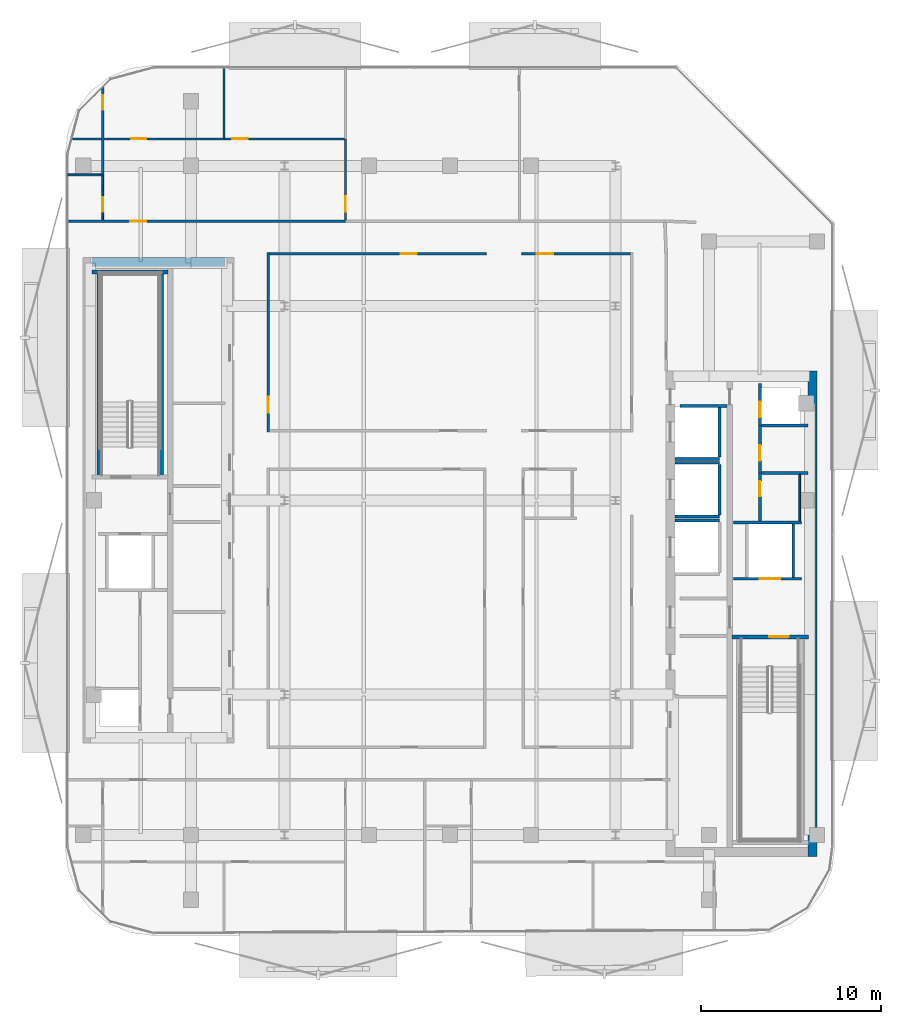
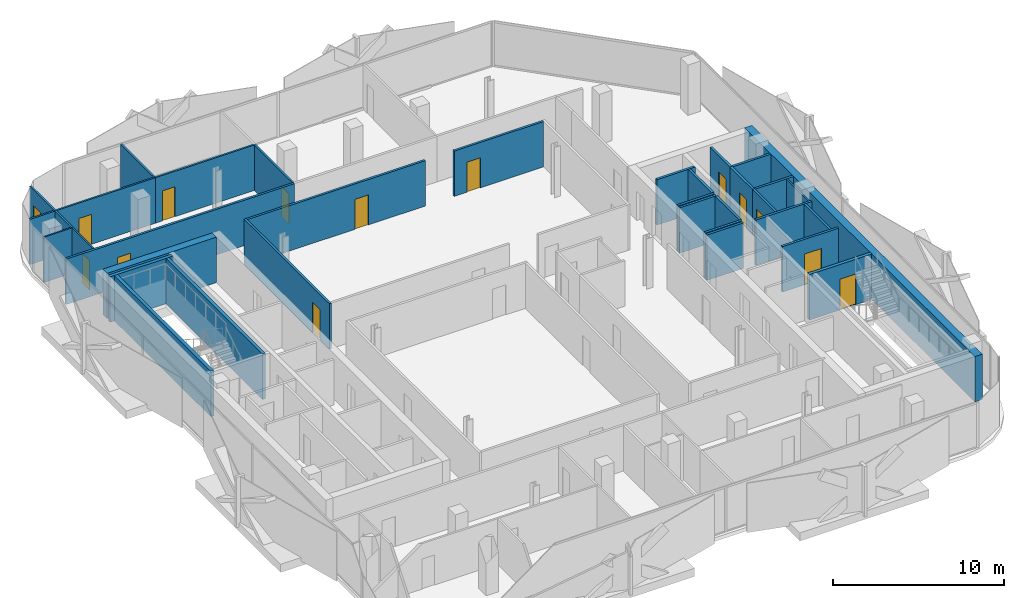
# One storey, part 5 of 15: 34 walls, 14 doors, 14 openings.
"""IFC4 building model written with IfcOpenShell, lengths in metres."""

from ifc_helpers import new_model, si_unit, direction, frame, frame_2d, origin, place, context, subcontext, project, spatial, rectangle, extrude, material, layer, layer_set, type_object, element, fill, save


model = new_model("IFC4")

# Units and contexts
model_context = context("Model", 3, precision=1e-05, world=origin(), true_north=direction((0.0, 1.0)))
body_context = subcontext(model_context, "Body", "Model", "MODEL_VIEW")
ifc_project = project(units=[si_unit("LENGTHUNIT", "METRE"), si_unit("AREAUNIT", "SQUARE_METRE"), si_unit("VOLUMEUNIT", "CUBIC_METRE"), si_unit("PLANEANGLEUNIT", "RADIAN"), si_unit("MASSUNIT", "GRAM", prefix="KILO")], contexts=[model_context])

# Site, building, storey
site_placement = place(None, origin())
site = spatial("IfcSite", under=ifc_project, at=site_placement, CompositionType="ELEMENT")
building_placement = place(site_placement, origin())
building = spatial("IfcBuilding", under=site, at=building_placement, Name="Khairoan Windgate Tower", CompositionType="ELEMENT")
storey_placement = place(building_placement, frame((0.0, 0.0, 269.199951171875)))
storey = spatial("IfcBuildingStorey", under=building, at=storey_placement, Name="L64", CompositionType="ELEMENT", Elevation=269.199951171875)

# Wall
ifc_material_1 = material(Name="Moisture-Resistant Gypsum Partition", Category="gypsum")
ifc_layer_1 = layer(ifc_material_1, 0.10009765625, Name="Moisture-Resistant Gypsum Partition")
ifc_layer_set_1 = layer_set([ifc_layer_1], Name="Moisture-Resistant Gypsum Partition")
wall_type_1 = type_object("IfcWallType", Name="Bathroom Wet-Area Partition Wall", PredefinedType="PARTITIONING", material=ifc_layer_set_1)
wall_1_placement = place(storey_placement, frame((-21.2548828125, 18.10009765625, 0.0), z_axis=(0.0, 0.0, 1.0), x_axis=(1.0, 0.0, 0.0)))
element("IfcWall", 1, at=wall_1_placement, inside=storey, type_object=wall_type_1, Name="L64 Interior Partition 036", PredefinedType="PARTITIONING", context=body_context, shape_type="SweptSolid", body=[
    extrude(rectangle(XDim=1.894775390625, YDim=0.10009765625, at=frame_2d((0.947265625, 0.0))), origin(), (0.0, 0.0, 1.0), 3.25),
])

# Wall, opening, door
wall_2_placement = place(storey_placement, frame((-19.31005859375, 15.60009765625, 0.0), z_axis=(0.0, 0.0, 1.0), x_axis=(0.0, 1.0, 0.0)))
wall_2 = element("IfcWall", 2, at=wall_2_placement, inside=storey, type_object=wall_type_1, Name="L64 Interior Partition 037", PredefinedType="PARTITIONING", context=body_context, shape_type="SweptSolid", body=[
    extrude(rectangle(XDim=2.5, YDim=0.10009765625, at=frame_2d((1.25, 0.0))), origin(), (0.0, 0.0, 1.0), 3.25),
])
opening_1_placement = place(wall_2_placement, frame((0.4599609375, 0.0, 0.0)))
opening_1 = element("IfcOpeningElement", 3, at=opening_1_placement, cuts=wall_2, Name="Opening ID-BTH", PredefinedType="OPENING", context=body_context, shape_type="SweptSolid", body=[
    extrude(rectangle(XDim=0.800048828125, YDim=2.10009765625, at=frame_2d((0.39990234375, 1.050048828125))), frame((0.0, 0.06005859375, 0.0), z_axis=(0.0, -1.0, 0.0), x_axis=(1.0, 0.0, 0.0)), (0.0, 0.0, 1.0), 0.1201171875),
])
ifc_material_2 = material(Name="Teak Veneer Timber Leaf", Category="wood")
door_type_1 = type_object("IfcDoorType", Name="Internal Bathroom Door ID-BTH 800x2100", OperationType="NOTDEFINED", PredefinedType="DOOR", material=ifc_material_2)
door_1_placement = place(opening_1_placement, origin())
door_1 = element("IfcDoor", 4, at=door_1_placement, inside=storey, type_object=door_type_1, Name="L64 L64-33-L64-35 Door", OperationType="SINGLE_SWING_LEFT", OverallHeight=2.10009765625, OverallWidth=0.800048828125, PredefinedType="DOOR", context=body_context, shape_type="SweptSolid", body=[
    extrude(rectangle(XDim=0.800048828125, YDim=2.10009765625, at=frame_2d((0.39990234375, 1.050048828125))), frame((0.0, 0.02490234375, 0.0), z_axis=(0.0, -1.0, 0.0), x_axis=(1.0, 0.0, 0.0)), (0.0, 0.0, 1.0), 0.050048828125),
])
fill(opening_1, door_1)

# Walls
wall_3_placement = place(storey_placement, frame((19.449951171875, 1.449951171875, 0.0), z_axis=(0.0, 0.0, 1.0), x_axis=(0.0, -1.0, 0.0)))
element("IfcWall", 5, at=wall_3_placement, inside=storey, type_object=wall_type_1, Name="L64 Wet Room Side Wall 067", PredefinedType="PARTITIONING", context=body_context, shape_type="SweptSolid", body=[
    extrude(rectangle(XDim=2.58984375, YDim=0.10009765625, at=frame_2d((1.294921875, 0.0))), origin(), (0.0, 0.0, 1.0), 3.25),
])
ifc_material_3 = material(Name="Concrete C40/50", Category="concrete")
ifc_layer_2 = layer(ifc_material_3, 0.159912109375, Name="Concrete C40/50")
ifc_layer_set_2 = layer_set([ifc_layer_2], Name="Concrete C40/50")
wall_type_2 = type_object("IfcWallType", Name="Core and Hoistway Enclosure Wall", PredefinedType="STANDARD", material=ifc_layer_set_2)
wall_4_placement = place(storey_placement, frame((12.5, 2.31005859375, 0.0), z_axis=(0.0, 0.0, 1.0), x_axis=(1.0, 0.0, 0.0)))
element("IfcWall", 6, at=wall_4_placement, inside=storey, type_object=wall_type_2, Name="L64 Lift PL7 Hoistway Divider S", PredefinedType="STANDARD", context=body_context, shape_type="SweptSolid", body=[
    extrude(rectangle(XDim=2.489990234375, YDim=0.159912109375, at=frame_2d((1.2451171875, 0.0))), origin(), (0.0, 0.0, 1.0), 3.25),
])
wall_5_placement = place(storey_placement, frame((14.989990234375, 2.39990234375, 0.0), z_axis=(0.0, 0.0, 1.0), x_axis=(0.0, 1.0, 0.0)))
element("IfcWall", 7, at=wall_5_placement, inside=storey, type_object=wall_type_2, Name="L64 Lift PL7 Hoistway Back Wall", PredefinedType="STANDARD", context=body_context, shape_type="SweptSolid", body=[
    extrude(rectangle(XDim=2.800048828125, YDim=0.159912109375, at=frame_2d((1.39990234375, 0.0))), origin(), (0.0, 0.0, 1.0), 3.25),
])
for number, where, z_axis, x_axis, name in (
    (8, (12.5, -0.889892578125, 0.0), (0.0, 0.0, 1.0), (1.0, 0.0, 0.0), "L64 Lift PL8 Hoistway Divider S"),
    (9, (12.5, 2.090087890625, 0.0), (0.0, 0.0, 1.0), (1.0, 0.0, 0.0), "L64 Lift PL8 Hoistway Divider N"),
):
    element("IfcWall", number, at=place(storey_placement, frame(where, z_axis=z_axis, x_axis=x_axis)), inside=storey, type_object=wall_type_2, Name=name, PredefinedType="STANDARD", context=body_context, shape_type="SweptSolid", body=[
        extrude(rectangle(XDim=2.489990234375, YDim=0.159912109375, at=frame_2d((1.2451171875, 0.0))), origin(), (0.0, 0.0, 1.0), 3.25),
    ])
wall_6_placement = place(storey_placement, frame((14.989990234375, -0.800048828125, 0.0), z_axis=(0.0, 0.0, 1.0), x_axis=(0.0, 1.0, 0.0)))
element("IfcWall", 10, at=wall_6_placement, inside=storey, type_object=wall_type_2, Name="L64 Lift PL8 Hoistway Back Wall", PredefinedType="STANDARD", context=body_context, shape_type="SweptSolid", body=[
    extrude(rectangle(XDim=2.800048828125, YDim=0.159912109375, at=frame_2d((1.39990234375, 0.0))), origin(), (0.0, 0.0, 1.0), 3.25),
])
wall_7_placement = place(storey_placement, frame((12.5, -1.110107421875, 0.0), z_axis=(0.0, 0.0, 1.0), x_axis=(1.0, 0.0, 0.0)))
element("IfcWall", 11, at=wall_7_placement, inside=storey, type_object=wall_type_2, Name="L64 Lift PL9 Hoistway Divider N", PredefinedType="STANDARD", context=body_context, shape_type="SweptSolid", body=[
    extrude(rectangle(XDim=2.489990234375, YDim=0.159912109375, at=frame_2d((1.2451171875, 0.0))), origin(), (0.0, 0.0, 1.0), 3.25),
])

# Wall, opening, door
wall_8_placement = place(storey_placement, frame((15.75, -4.360107421875, 0.0), z_axis=(0.0, 0.0, 1.0), x_axis=(1.0, 0.0, 0.0)))
wall_8 = element("IfcWall", 12, at=wall_8_placement, inside=storey, type_object=wall_type_2, Name="L64 Core Shaft Wall SW-FL1-L64", PredefinedType="STANDARD", context=body_context, shape_type="SweptSolid", body=[
    extrude(rectangle(XDim=3.800048828125, YDim=0.159912109375, at=frame_2d((1.89990234375, 0.0))), origin(), (0.0, 0.0, 1.0), 3.25),
])
opening_2_placement = place(wall_8_placement, frame((1.469970703125, 0.0, 0.0)))
opening_2 = element("IfcOpeningElement", 13, at=opening_2_placement, cuts=wall_8, Name="Opening LD-FL", PredefinedType="OPENING", context=body_context, shape_type="SweptSolid", body=[
    extrude(rectangle(XDim=1.14990234375, YDim=2.199951171875, at=frame_2d((0.574951171875, 1.10009765625))), frame((0.0, 0.08984375, 0.0), z_axis=(0.0, -1.0, 0.0), x_axis=(1.0, 0.0, 0.0)), (0.0, 0.0, 1.0), 0.179931640625),
])
ifc_material_4 = material(Name="Steel S355", Category="steel")
door_type_2 = type_object("IfcDoorType", Name="Firefighting Lift Sliding Landing Door LD-FL 1150x2200", OperationType="DOUBLE_DOOR_SLIDING", PredefinedType="DOOR", material=ifc_material_4)
door_2_placement = place(opening_2_placement, origin())
door_2 = element("IfcDoor", 14, at=door_2_placement, inside=storey, type_object=door_type_2, Name="L64 Firefighting Lift FL1 Landing Door", OperationType="DOUBLE_DOOR_SLIDING", OverallHeight=2.199951171875, OverallWidth=1.14990234375, PredefinedType="DOOR", context=body_context, shape_type="SweptSolid", body=[
    extrude(rectangle(XDim=1.14990234375, YDim=2.199951171875, at=frame_2d((0.574951171875, 1.10009765625))), frame((0.0, 0.02490234375, 0.0), z_axis=(0.0, -1.0, 0.0), x_axis=(1.0, 0.0, 0.0)), (0.0, 0.0, 1.0), 0.050048828125),
])
fill(opening_2, door_2)

# Walls
wall_9_placement = place(storey_placement, frame((15.75, -1.219970703125, 0.0), z_axis=(0.0, 0.0, 1.0), x_axis=(1.0, 0.0, 0.0)))
element("IfcWall", 15, at=wall_9_placement, inside=storey, type_object=wall_type_2, Name="L64 Core Shaft Wall SW-FL1T-L64", PredefinedType="STANDARD", context=body_context, shape_type="SweptSolid", body=[
    extrude(rectangle(XDim=3.800048828125, YDim=0.159912109375, at=frame_2d((1.89990234375, 0.0))), origin(), (0.0, 0.0, 1.0), 3.25),
])
wall_10_placement = place(storey_placement, frame((19.080078125, -4.280029296875, 0.0), z_axis=(0.0, 0.0, 1.0), x_axis=(0.0, 1.0, 0.0)))
element("IfcWall", 16, at=wall_10_placement, inside=storey, type_object=wall_type_2, Name="L64 Core Shaft Wall SW-FL1E-L64", PredefinedType="STANDARD", context=body_context, shape_type="SweptSolid", body=[
    extrude(rectangle(XDim=2.97998046875, YDim=0.159912109375, at=frame_2d((1.489990234375, 0.0))), origin(), (0.0, 0.0, 1.0), 3.25),
])
wall_11_placement = place(storey_placement, frame((12.800048828125, 5.25, 0.0), z_axis=(0.0, 0.0, 1.0), x_axis=(1.0, 0.0, 0.0)))
element("IfcWall", 17, at=wall_11_placement, inside=storey, type_object=wall_type_2, Name="L64 Core Shaft Wall SW-ESV-L64", PredefinedType="STANDARD", context=body_context, shape_type="SweptSolid", body=[
    extrude(rectangle(XDim=2.599853515625, YDim=0.159912109375, at=frame_2d((1.2998046875, 0.0))), origin(), (0.0, 0.0, 1.0), 3.25),
])
ifc_material_5 = material(Name="Gypsum Stud Partition", Category="gypsum")
ifc_layer_3 = layer(ifc_material_5, 0.1201171875, Name="Gypsum Stud Partition")
ifc_layer_set_3 = layer_set([ifc_layer_3], Name="Gypsum Stud Partition")
wall_type_3 = type_object("IfcWallType", Name="Internal Room Partition Wall", PredefinedType="PARTITIONING", material=ifc_layer_set_3)
wall_12_placement = place(storey_placement, frame((-19.31005859375, 18.10009765625, 0.0), z_axis=(0.0, 0.0, 1.0), x_axis=(0.0, 1.0, 0.0)))
element("IfcWall", 18, at=wall_12_placement, inside=storey, type_object=wall_type_3, Name="L64 Interior Partition 038", PredefinedType="PARTITIONING", context=body_context, shape_type="SweptSolid", body=[
    extrude(rectangle(XDim=2.0, YDim=0.1201171875, at=frame_2d((1.0, 0.0))), origin(), (0.0, 0.0, 1.0), 3.25),
])

# Wall, opening, door
wall_13_placement = place(storey_placement, frame((-19.31005859375, 20.10009765625, 0.0), z_axis=(0.0, 0.0, 1.0), x_axis=(0.0, 1.0, 0.0)))
wall_13 = element("IfcWall", 19, at=wall_13_placement, inside=storey, type_object=wall_type_3, Name="L64 Interior Partition 039", PredefinedType="PARTITIONING", context=body_context, shape_type="SweptSolid", body=[
    extrude(rectangle(XDim=2.885498046875, YDim=0.1201171875, at=frame_2d((1.44287109375, 0.0))), origin(), (0.0, 0.0, 1.0), 3.25),
])
opening_3_placement = place(wall_13_placement, frame((1.62548828125, 0.0, 0.0)))
opening_3 = element("IfcOpeningElement", 20, at=opening_3_placement, cuts=wall_13, Name="Opening ID-BTH", PredefinedType="OPENING", context=body_context, shape_type="SweptSolid", body=[
    extrude(rectangle(XDim=0.800048828125, YDim=2.10009765625, at=frame_2d((0.39990234375, 1.050048828125))), frame((0.0, 0.070068359375, 0.0), z_axis=(0.0, -1.0, 0.0), x_axis=(1.0, 0.0, 0.0)), (0.0, 0.0, 1.0), 0.14013671875),
])
door_3_placement = place(opening_3_placement, origin())
door_3 = element("IfcDoor", 21, at=door_3_placement, inside=storey, type_object=door_type_1, Name="L64 L64-34-L64-38 Door", OperationType="SINGLE_SWING_RIGHT", OverallHeight=2.10009765625, OverallWidth=0.800048828125, PredefinedType="DOOR", context=body_context, shape_type="SweptSolid", body=[
    extrude(rectangle(XDim=0.800048828125, YDim=2.10009765625, at=frame_2d((0.39990234375, 1.050048828125))), frame((0.0, 0.02490234375, 0.0), z_axis=(0.0, -1.0, 0.0), x_axis=(1.0, 0.0, 0.0)), (0.0, 0.0, 1.0), 0.050048828125),
])
fill(opening_3, door_3)

wall_14_placement = place(storey_placement, frame((-5.81005859375, 15.60009765625, 0.0), z_axis=(0.0, 0.0, 1.0), x_axis=(0.0, 1.0, 0.0)))
wall_14 = element("IfcWall", 22, at=wall_14_placement, inside=storey, type_object=wall_type_3, Name="L64 Interior Partition 040", PredefinedType="PARTITIONING", context=body_context, shape_type="SweptSolid", body=[
    extrude(rectangle(XDim=4.5, YDim=0.1201171875, at=frame_2d((2.25, 0.0))), origin(), (0.0, 0.0, 1.0), 3.25),
])
opening_4_placement = place(wall_14_placement, frame((0.4599609375, 0.0, 0.0)))
opening_4 = element("IfcOpeningElement", 23, at=opening_4_placement, cuts=wall_14, Name="Opening ID-RM", PredefinedType="OPENING", context=body_context, shape_type="SweptSolid", body=[
    extrude(rectangle(XDim=0.860107421875, YDim=2.14990234375, at=frame_2d((0.43017578125, 1.074951171875))), frame((0.0, 0.070068359375, 0.0), z_axis=(0.0, -1.0, 0.0), x_axis=(1.0, 0.0, 0.0)), (0.0, 0.0, 1.0), 0.14013671875),
])
ifc_material_6 = material(Name="Teak Veneer Timber Leaf", Category="wood")
door_type_3 = type_object("IfcDoorType", Name="Internal Bedroom and Office Door ID-RM 860x2150", OperationType="NOTDEFINED", PredefinedType="DOOR", material=ifc_material_6)
door_4_placement = place(opening_4_placement, origin())
door_4 = element("IfcDoor", 24, at=door_4_placement, inside=storey, type_object=door_type_3, Name="L64 L64-35-L64-36 Door", OperationType="SINGLE_SWING_LEFT", OverallHeight=2.14990234375, OverallWidth=0.860107421875, PredefinedType="DOOR", context=body_context, shape_type="SweptSolid", body=[
    extrude(rectangle(XDim=0.860107421875, YDim=2.14990234375, at=frame_2d((0.43017578125, 1.074951171875))), frame((0.0, 0.02490234375, 0.0), z_axis=(0.0, -1.0, 0.0), x_axis=(1.0, 0.0, 0.0)), (0.0, 0.0, 1.0), 0.050048828125),
])
fill(opening_4, door_4)

wall_15_placement = place(storey_placement, frame((-21.03857421875, 20.10009765625, 0.0), z_axis=(0.0, 0.0, 1.0), x_axis=(1.0, 0.0, 0.0)))
wall_15 = element("IfcWall", 25, at=wall_15_placement, inside=storey, type_object=wall_type_3, Name="L64 Interior Partition 041", PredefinedType="PARTITIONING", context=body_context, shape_type="SweptSolid", body=[
    extrude(rectangle(XDim=8.478515625, YDim=0.1201171875, at=frame_2d((4.2392578125, 0.0))), origin(), (0.0, 0.0, 1.0), 3.25),
])
opening_5_placement = place(wall_15_placement, frame((3.3017578125, 0.0, 0.0)))
opening_5 = element("IfcOpeningElement", 26, at=opening_5_placement, cuts=wall_15, Name="Opening ID-RM", PredefinedType="OPENING", context=body_context, shape_type="SweptSolid", body=[
    extrude(rectangle(XDim=0.860107421875, YDim=2.14990234375, at=frame_2d((0.43017578125, 1.074951171875))), frame((0.0, 0.070068359375, 0.0), z_axis=(0.0, -1.0, 0.0), x_axis=(1.0, 0.0, 0.0)), (0.0, 0.0, 1.0), 0.14013671875),
])
door_5_placement = place(opening_5_placement, origin())
door_5 = element("IfcDoor", 27, at=door_5_placement, inside=storey, type_object=door_type_3, Name="L64 L64-35-L64-38 Door", OperationType="SINGLE_SWING_RIGHT", OverallHeight=2.14990234375, OverallWidth=0.860107421875, PredefinedType="DOOR", context=body_context, shape_type="SweptSolid", body=[
    extrude(rectangle(XDim=0.860107421875, YDim=2.14990234375, at=frame_2d((0.43017578125, 1.074951171875))), frame((0.0, 0.02490234375, 0.0), z_axis=(0.0, -1.0, 0.0), x_axis=(1.0, 0.0, 0.0)), (0.0, 0.0, 1.0), 0.050048828125),
])
fill(opening_5, door_5)

wall_16_placement = place(storey_placement, frame((-12.56005859375, 20.10009765625, 0.0), z_axis=(0.0, 0.0, 1.0), x_axis=(1.0, 0.0, 0.0)))
wall_16 = element("IfcWall", 28, at=wall_16_placement, inside=storey, type_object=wall_type_3, Name="L64 Interior Partition 042", PredefinedType="PARTITIONING", context=body_context, shape_type="SweptSolid", body=[
    extrude(rectangle(XDim=6.68994140625, YDim=0.1201171875, at=frame_2d((3.344970703125, 0.0))), origin(), (0.0, 0.0, 1.0), 3.25),
])
opening_6_placement = place(wall_16_placement, frame((0.4599609375, 0.0, 0.0)))
opening_6 = element("IfcOpeningElement", 29, at=opening_6_placement, cuts=wall_16, Name="Opening ID-RM", PredefinedType="OPENING", context=body_context, shape_type="SweptSolid", body=[
    extrude(rectangle(XDim=0.860107421875, YDim=2.14990234375, at=frame_2d((0.43017578125, 1.074951171875))), frame((0.0, 0.070068359375, 0.0), z_axis=(0.0, -1.0, 0.0), x_axis=(1.0, 0.0, 0.0)), (0.0, 0.0, 1.0), 0.14013671875),
])
door_6_placement = place(opening_6_placement, origin())
door_6 = element("IfcDoor", 30, at=door_6_placement, inside=storey, type_object=door_type_3, Name="L64 L64-35-L64-39 Door", OperationType="SINGLE_SWING_LEFT", OverallHeight=2.14990234375, OverallWidth=0.860107421875, PredefinedType="DOOR", context=body_context, shape_type="SweptSolid", body=[
    extrude(rectangle(XDim=0.860107421875, YDim=2.14990234375, at=frame_2d((0.43017578125, 1.074951171875))), frame((0.0, 0.02490234375, 0.0), z_axis=(0.0, -1.0, 0.0), x_axis=(1.0, 0.0, 0.0)), (0.0, 0.0, 1.0), 0.050048828125),
])
fill(opening_6, door_6)

# Wall
wall_17_placement = place(storey_placement, frame((-12.56005859375, 20.159912109375, 0.0), z_axis=(0.0, 0.0, 1.0), x_axis=(0.0, 1.0, 0.0)))
element("IfcWall", 31, at=wall_17_placement, inside=storey, type_object=wall_type_3, Name="L64 Interior Partition 046", PredefinedType="PARTITIONING", context=body_context, shape_type="SweptSolid", body=[
    extrude(rectangle(XDim=3.89501953125, YDim=0.1201171875, at=frame_2d((1.947509765625, 0.0))), origin(), (0.0, 0.0, 1.0), 3.25),
])

# Wall, opening, door
ifc_material_7 = material(Name="Concrete C40/50", Category="concrete")
ifc_layer_4 = layer(ifc_material_7, 0.159912109375, Name="Concrete C40/50")
ifc_layer_set_4 = layer_set([ifc_layer_4], Name="Concrete C40/50")
wall_type_4 = type_object("IfcWallType", Name="Plant and Refuge Compartment Wall", PredefinedType="PARTITIONING", material=ifc_layer_set_4)
wall_18_placement = place(storey_placement, frame((17.22998046875, 4.169921875, 0.0), z_axis=(0.0, 0.0, 1.0), x_axis=(0.0, 1.0, 0.0)))
wall_18 = element("IfcWall", 32, at=wall_18_placement, inside=storey, type_object=wall_type_4, Name="L64 Interior Partition 006", PredefinedType="PARTITIONING", context=body_context, shape_type="SweptSolid", body=[
    extrude(rectangle(XDim=2.320068359375, YDim=0.159912109375, at=frame_2d((1.16015625, 0.0))), origin(), (0.0, 0.0, 1.0), 3.25),
])
opening_7_placement = place(wall_18_placement, frame((0.4599609375, 0.0, 0.0)))
opening_7 = element("IfcOpeningElement", 33, at=opening_7_placement, cuts=wall_18, Name="Opening FD-SRV", PredefinedType="OPENING", context=body_context, shape_type="SweptSolid", body=[
    extrude(rectangle(XDim=0.85009765625, YDim=2.10009765625, at=frame_2d((0.425048828125, 1.050048828125))), frame((0.0, 0.08984375, 0.0), z_axis=(0.0, -1.0, 0.0), x_axis=(1.0, 0.0, 0.0)), (0.0, 0.0, 1.0), 0.179931640625),
])
ifc_material_8 = material(Name="Steel S355", Category="steel")
door_type_4 = type_object("IfcDoorType", Name="Core Service and Riser Fire Door FD-SRV 850x2100", OperationType="NOTDEFINED", PredefinedType="DOOR", material=ifc_material_8)
door_7_placement = place(opening_7_placement, origin())
door_7 = element("IfcDoor", 34, at=door_7_placement, inside=storey, type_object=door_type_4, Name="L64 L64-16-L64-17 Door", OperationType="SINGLE_SWING_RIGHT", OverallHeight=2.10009765625, OverallWidth=0.85009765625, PredefinedType="DOOR", context=body_context, shape_type="SweptSolid", body=[
    extrude(rectangle(XDim=0.85009765625, YDim=2.10009765625, at=frame_2d((0.425048828125, 1.050048828125))), frame((0.0, 0.02490234375, 0.0), z_axis=(0.0, -1.0, 0.0), x_axis=(1.0, 0.0, 0.0)), (0.0, 0.0, 1.0), 0.050048828125),
])
fill(opening_7, door_7)

wall_19_placement = place(storey_placement, frame((17.22998046875, -1.139892578125, 0.0), z_axis=(0.0, 0.0, 1.0), x_axis=(0.0, 1.0, 0.0)))
wall_19 = element("IfcWall", 35, at=wall_19_placement, inside=storey, type_object=wall_type_4, Name="L64 Interior Partition 007", PredefinedType="PARTITIONING", context=body_context, shape_type="SweptSolid", body=[
    extrude(rectangle(XDim=2.669921875, YDim=0.159912109375, at=frame_2d((1.3349609375, 0.0))), origin(), (0.0, 0.0, 1.0), 3.25),
])
opening_8_placement = place(wall_19_placement, frame((1.360107421875, 0.0, 0.0)))
opening_8 = element("IfcOpeningElement", 36, at=opening_8_placement, cuts=wall_19, Name="Opening FD-SRV", PredefinedType="OPENING", context=body_context, shape_type="SweptSolid", body=[
    extrude(rectangle(XDim=0.85009765625, YDim=2.10009765625, at=frame_2d((0.425048828125, 1.050048828125))), frame((0.0, 0.08984375, 0.0), z_axis=(0.0, -1.0, 0.0), x_axis=(1.0, 0.0, 0.0)), (0.0, 0.0, 1.0), 0.179931640625),
])
door_8_placement = place(opening_8_placement, origin())
door_8 = element("IfcDoor", 37, at=door_8_placement, inside=storey, type_object=door_type_4, Name="L64 L64-16-L64-18 Door", OperationType="SINGLE_SWING_LEFT", OverallHeight=2.10009765625, OverallWidth=0.85009765625, PredefinedType="DOOR", context=body_context, shape_type="SweptSolid", body=[
    extrude(rectangle(XDim=0.85009765625, YDim=2.10009765625, at=frame_2d((0.425048828125, 1.050048828125))), frame((0.0, 0.02490234375, 0.0), z_axis=(0.0, -1.0, 0.0), x_axis=(1.0, 0.0, 0.0)), (0.0, 0.0, 1.0), 0.050048828125),
])
fill(opening_8, door_8)

wall_20_placement = place(storey_placement, frame((17.22998046875, 1.530029296875, 0.0), z_axis=(0.0, 0.0, 1.0), x_axis=(0.0, 1.0, 0.0)))
wall_20 = element("IfcWall", 38, at=wall_20_placement, inside=storey, type_object=wall_type_4, Name="L64 Interior Partition 008", PredefinedType="PARTITIONING", context=body_context, shape_type="SweptSolid", body=[
    extrude(rectangle(XDim=2.639892578125, YDim=0.159912109375, at=frame_2d((1.31982421875, 0.0))), origin(), (0.0, 0.0, 1.0), 3.25),
])
opening_9_placement = place(wall_20_placement, frame((0.677490234375, 0.0, 0.0)))
opening_9 = element("IfcOpeningElement", 39, at=opening_9_placement, cuts=wall_20, Name="Opening FD-SRV", PredefinedType="OPENING", context=body_context, shape_type="SweptSolid", body=[
    extrude(rectangle(XDim=0.85009765625, YDim=2.10009765625, at=frame_2d((0.425048828125, 1.050048828125))), frame((0.0, 0.08984375, 0.0), z_axis=(0.0, -1.0, 0.0), x_axis=(1.0, 0.0, 0.0)), (0.0, 0.0, 1.0), 0.179931640625),
])
door_9_placement = place(opening_9_placement, origin())
door_9 = element("IfcDoor", 40, at=door_9_placement, inside=storey, type_object=door_type_4, Name="L64 L64-16-L64-19 Door", OperationType="SINGLE_SWING_RIGHT", OverallHeight=2.10009765625, OverallWidth=0.85009765625, PredefinedType="DOOR", context=body_context, shape_type="SweptSolid", body=[
    extrude(rectangle(XDim=0.85009765625, YDim=2.10009765625, at=frame_2d((0.425048828125, 1.050048828125))), frame((0.0, 0.02490234375, 0.0), z_axis=(0.0, -1.0, 0.0), x_axis=(1.0, 0.0, 0.0)), (0.0, 0.0, 1.0), 0.050048828125),
])
fill(opening_9, door_9)

# Walls
for number, where, z_axis, x_axis, name in (
    (41, (17.31005859375, 4.169921875, 0.0), (0.0, 0.0, 1.0), (1.0, 0.0, 0.0), "L64 Interior Partition 009"),
    (42, (17.31005859375, 1.530029296875, 0.0), (0.0, 0.0, 1.0), (1.0, 0.0, 0.0), "L64 Interior Partition 010"),
):
    element("IfcWall", number, at=place(storey_placement, frame(where, z_axis=z_axis, x_axis=x_axis)), inside=storey, type_object=wall_type_4, Name=name, PredefinedType="PARTITIONING", context=body_context, shape_type="SweptSolid", body=[
        extrude(rectangle(XDim=2.58984375, YDim=0.159912109375, at=frame_2d((1.294921875, 0.0))), origin(), (0.0, 0.0, 1.0), 3.25),
    ])

# Wall, opening, door
ifc_material_9 = material(Name="Acoustic Fire-Rated Gypsum Partition", Category="gypsum")
ifc_layer_5 = layer(ifc_material_9, 0.14990234375, Name="Acoustic Fire-Rated Gypsum Partition")
ifc_layer_set_5 = layer_set([ifc_layer_5], Name="Acoustic Fire-Rated Gypsum Partition")
wall_type_5 = type_object("IfcWallType", Name="Rated Corridor Partition Wall", PredefinedType="PARTITIONING", material=ifc_layer_set_5)
wall_21_placement = place(storey_placement, frame((-10.10009765625, 3.7900390625, 0.0), z_axis=(0.0, 0.0, 1.0), x_axis=(0.0, 1.0, 0.0)))
wall_21 = element("IfcWall", 43, at=wall_21_placement, inside=storey, type_object=wall_type_5, Name="L64 Interior Partition 012", PredefinedType="PARTITIONING", context=body_context, shape_type="SweptSolid", body=[
    extrude(rectangle(XDim=10.0048828125, YDim=0.14990234375, at=frame_2d((5.00244140625, 0.0))), origin(), (0.0, 0.0, 1.0), 3.25),
])
opening_10_placement = place(wall_21_placement, frame((1.073974609375, 0.0, 0.0)))
opening_10 = element("IfcOpeningElement", 44, at=opening_10_placement, cuts=wall_21, Name="Opening FD-ENT", PredefinedType="OPENING", context=body_context, shape_type="SweptSolid", body=[
    extrude(rectangle(XDim=0.89990234375, YDim=2.14990234375, at=frame_2d((0.449951171875, 1.074951171875))), frame((0.0, 0.0849609375, 0.0), z_axis=(0.0, -1.0, 0.0), x_axis=(1.0, 0.0, 0.0)), (0.0, 0.0, 1.0), 0.169921875),
])
ifc_material_10 = material(Name="Timber Fire-Rated Core", Category="wood")
door_type_5 = type_object("IfcDoorType", Name="Unit and Office Fire Entrance Door FD-ENT 900x2150", OperationType="NOTDEFINED", PredefinedType="DOOR", material=ifc_material_10)
door_10_placement = place(opening_10_placement, origin())
door_10 = element("IfcDoor", 45, at=door_10_placement, inside=storey, type_object=door_type_5, Name="L64 L64-27-L64-53 Door", OperationType="SINGLE_SWING_LEFT", OverallHeight=2.14990234375, OverallWidth=0.89990234375, PredefinedType="DOOR", context=body_context, shape_type="SweptSolid", body=[
    extrude(rectangle(XDim=0.89990234375, YDim=2.14990234375, at=frame_2d((0.449951171875, 1.074951171875))), frame((0.0, 0.02490234375, 0.0), z_axis=(0.0, -1.0, 0.0), x_axis=(1.0, 0.0, 0.0)), (0.0, 0.0, 1.0), 0.050048828125),
])
fill(opening_10, door_10)

wall_22_placement = place(storey_placement, frame((-21.2548828125, 15.52490234375, 0.0), z_axis=(0.0, 0.0, 1.0), x_axis=(1.0, 0.0, 0.0)))
wall_22 = element("IfcWall", 46, at=wall_22_placement, inside=storey, type_object=wall_type_5, Name="L64 Interior Partition 024", PredefinedType="PARTITIONING", context=body_context, shape_type="SweptSolid", body=[
    extrude(rectangle(XDim=15.44482421875, YDim=0.14990234375, at=frame_2d((7.722412109375, 0.0))), origin(), (0.0, 0.0, 1.0), 3.25),
])
opening_11_placement = place(wall_22_placement, frame((3.465576171875, 0.0, 0.0)))
opening_11 = element("IfcOpeningElement", 47, at=opening_11_placement, cuts=wall_22, Name="Opening FD-ENT", PredefinedType="OPENING", context=body_context, shape_type="SweptSolid", body=[
    extrude(rectangle(XDim=0.89990234375, YDim=2.14990234375, at=frame_2d((0.449951171875, 1.074951171875))), frame((0.0, 0.0849609375, 0.0), z_axis=(0.0, -1.0, 0.0), x_axis=(1.0, 0.0, 0.0)), (0.0, 0.0, 1.0), 0.169921875),
])
door_11_placement = place(opening_11_placement, origin())
door_11 = element("IfcDoor", 48, at=door_11_placement, inside=storey, type_object=door_type_5, Name="L64 L64-31-L64-35 Door", OperationType="SINGLE_SWING_LEFT", OverallHeight=2.14990234375, OverallWidth=0.89990234375, PredefinedType="DOOR", context=body_context, shape_type="SweptSolid", body=[
    extrude(rectangle(XDim=0.89990234375, YDim=2.14990234375, at=frame_2d((0.449951171875, 1.074951171875))), frame((0.0, 0.02490234375, 0.0), z_axis=(0.0, -1.0, 0.0), x_axis=(1.0, 0.0, 0.0)), (0.0, 0.0, 1.0), 0.050048828125),
])
fill(opening_11, door_11)

wall_23_placement = place(storey_placement, frame((-10.02490234375, 13.719970703125, 0.0), z_axis=(0.0, 0.0, 1.0), x_axis=(1.0, 0.0, 0.0)))
wall_23 = element("IfcWall", 49, at=wall_23_placement, inside=storey, type_object=wall_type_5, Name="L64 Interior Partition 028", PredefinedType="PARTITIONING", context=body_context, shape_type="SweptSolid", body=[
    extrude(rectangle(XDim=12.054931640625, YDim=0.14990234375, at=frame_2d((6.02734375, 0.0))), origin(), (0.0, 0.0, 1.0), 3.25),
])
opening_12_placement = place(wall_23_placement, frame((7.283203125, 0.0, 0.0)))
opening_12 = element("IfcOpeningElement", 50, at=opening_12_placement, cuts=wall_23, Name="Opening FD-ENT", PredefinedType="OPENING", context=body_context, shape_type="SweptSolid", body=[
    extrude(rectangle(XDim=0.89990234375, YDim=2.14990234375, at=frame_2d((0.449951171875, 1.074951171875))), frame((0.0, 0.0849609375, 0.0), z_axis=(0.0, -1.0, 0.0), x_axis=(1.0, 0.0, 0.0)), (0.0, 0.0, 1.0), 0.169921875),
])
door_12_placement = place(opening_12_placement, origin())
door_12 = element("IfcDoor", 51, at=door_12_placement, inside=storey, type_object=door_type_5, Name="L64 L64-31-L64-53 Door", OperationType="SINGLE_SWING_LEFT", OverallHeight=2.14990234375, OverallWidth=0.89990234375, PredefinedType="DOOR", context=body_context, shape_type="SweptSolid", body=[
    extrude(rectangle(XDim=0.89990234375, YDim=2.14990234375, at=frame_2d((0.449951171875, 1.074951171875))), frame((0.0, 0.02490234375, 0.0), z_axis=(0.0, -1.0, 0.0), x_axis=(1.0, 0.0, 0.0)), (0.0, 0.0, 1.0), 0.050048828125),
])
fill(opening_12, door_12)

wall_24_placement = place(storey_placement, frame((3.969970703125, 13.719970703125, 0.0), z_axis=(0.0, 0.0, 1.0), x_axis=(1.0, 0.0, 0.0)))
wall_24 = element("IfcWall", 52, at=wall_24_placement, inside=storey, type_object=wall_type_5, Name="L64 Interior Partition 029", PredefinedType="PARTITIONING", context=body_context, shape_type="SweptSolid", body=[
    extrude(rectangle(XDim=6.054931640625, YDim=0.14990234375, at=frame_2d((3.02734375, 0.0))), origin(), (0.0, 0.0, 1.0), 3.25),
])
opening_13_placement = place(wall_24_placement, frame((0.86328125, 0.0, 0.0)))
opening_13 = element("IfcOpeningElement", 53, at=opening_13_placement, cuts=wall_24, Name="Opening FD-ENT", PredefinedType="OPENING", context=body_context, shape_type="SweptSolid", body=[
    extrude(rectangle(XDim=0.89990234375, YDim=2.14990234375, at=frame_2d((0.449951171875, 1.074951171875))), frame((0.0, 0.0849609375, 0.0), z_axis=(0.0, -1.0, 0.0), x_axis=(1.0, 0.0, 0.0)), (0.0, 0.0, 1.0), 0.169921875),
])
door_13_placement = place(opening_13_placement, origin())
door_13 = element("IfcDoor", 54, at=door_13_placement, inside=storey, type_object=door_type_5, Name="L64 L64-31-L64-55 Door", OperationType="SINGLE_SWING_RIGHT", OverallHeight=2.14990234375, OverallWidth=0.89990234375, PredefinedType="DOOR", context=body_context, shape_type="SweptSolid", body=[
    extrude(rectangle(XDim=0.89990234375, YDim=2.14990234375, at=frame_2d((0.449951171875, 1.074951171875))), frame((0.0, 0.02490234375, 0.0), z_axis=(0.0, -1.0, 0.0), x_axis=(1.0, 0.0, 0.0)), (0.0, 0.0, 1.0), 0.050048828125),
])
fill(opening_13, door_13)

# Walls
ifc_material_11 = material(Name="Concrete C50/60", Category="concrete")
ifc_layer_6 = layer(ifc_material_11, 0.5, Name="Concrete C50/60")
ifc_layer_set_6 = layer_set([ifc_layer_6], Name="Concrete C50/60")
wall_type_6 = type_object("IfcWallType", Name="Shear Wall CW-E3 500mm", PredefinedType="SHEAR", material=ifc_layer_set_6)
wall_25_placement = place(storey_placement, frame((20.14990234375, -19.800048828125, 0.0), z_axis=(0.0, 0.0, 1.0), x_axis=(0.0, 1.0, 0.0)))
element("IfcWall", 55, at=wall_25_placement, inside=storey, type_object=wall_type_6, Name="E Core East Shear Wall L64", PredefinedType="SHEAR", context=body_context, shape_type="SweptSolid", body=[
    extrude(rectangle(XDim=27.0, YDim=0.5, at=frame_2d((13.5, 0.0))), origin(), (0.0, 0.0, 1.0), 3.25),
])
ifc_material_12 = material(Name="Concrete C50/60", Category="concrete")
ifc_layer_7 = layer(ifc_material_12, 0.5, Name="Concrete C50/60")
ifc_layer_set_7 = layer_set([ifc_layer_7], Name="Concrete C50/60")
wall_type_7 = type_object("IfcWallType", Name="Shear Wall CW-W3 500mm", PredefinedType="SHEAR", material=ifc_layer_set_7)
wall_26_placement = place(storey_placement, frame((-19.89990234375, 13.25, 0.0), z_axis=(0.0, 0.0, 1.0), x_axis=(1.0, 0.0, 0.0)))
element("IfcWall", 56, at=wall_26_placement, inside=storey, type_object=wall_type_7, Name="W Core North Shear Wall L64", PredefinedType="SHEAR", context=body_context, shape_type="SweptSolid", body=[
    extrude(rectangle(XDim=7.39990234375, YDim=0.5, at=frame_2d((3.699951171875, 0.0))), origin(), (0.0, 0.0, 1.0), 3.25),
])

# Wall, opening, door
ifc_material_13 = material(Name="Concrete C50/60", Category="concrete")
ifc_layer_8 = layer(ifc_material_13, 0.219970703125, Name="Concrete C50/60")
ifc_layer_set_8 = layer_set([ifc_layer_8], Name="Concrete C50/60")
wall_type_8 = type_object("IfcWallType", Name="Shear Wall SW-ST 220mm", PredefinedType="SHEAR", material=ifc_layer_set_8)
wall_27_placement = place(storey_placement, frame((19.919921875, -7.590087890625, 0.0), z_axis=(0.0, 0.0, 1.0), x_axis=(-1.0, 0.0, 0.0)))
wall_27 = element("IfcWall", 57, at=wall_27_placement, inside=storey, type_object=wall_type_8, Name="L64 Stair ST1 North Bearing Wall", PredefinedType="SHEAR", context=body_context, shape_type="SweptSolid", body=[
    extrude(rectangle(XDim=4.239990234375, YDim=0.219970703125, at=frame_2d((2.1201171875, 0.0))), origin(), (0.0, 0.0, 1.0), 3.25),
])
opening_14_placement = place(wall_27_placement, frame((1.080078125, 0.0, 0.0)))
opening_14 = element("IfcOpeningElement", 58, at=opening_14_placement, cuts=wall_27, Name="Opening FD-ST", PredefinedType="OPENING", context=body_context, shape_type="SweptSolid", body=[
    extrude(rectangle(XDim=1.10009765625, YDim=2.199951171875, at=frame_2d((0.550048828125, 1.10009765625))), frame((0.0, 0.119873046875, 0.0), z_axis=(0.0, -1.0, 0.0), x_axis=(1.0, 0.0, 0.0)), (0.0, 0.0, 1.0), 0.239990234375),
])
ifc_material_14 = material(Name="Steel S355", Category="steel")
door_type_6 = type_object("IfcDoorType", Name="Smokeproof Stair Fire Door FD-ST 1100x2200", OperationType="NOTDEFINED", PredefinedType="DOOR", material=ifc_material_14)
door_14_placement = place(opening_14_placement, origin())
door_14 = element("IfcDoor", 59, at=door_14_placement, inside=storey, type_object=door_type_6, Name="L64 Stair ST1 Fire Door", OperationType="SINGLE_SWING_RIGHT", OverallHeight=2.199951171875, OverallWidth=1.10009765625, PredefinedType="DOOR", context=body_context, shape_type="SweptSolid", body=[
    extrude(rectangle(XDim=1.10009765625, YDim=2.199951171875, at=frame_2d((0.550048828125, 1.10009765625))), frame((0.0, 0.02490234375, 0.0), z_axis=(0.0, -1.0, 0.0), x_axis=(1.0, 0.0, 0.0)), (0.0, 0.0, 1.0), 0.050048828125),
])
fill(opening_14, door_14)

# Walls
for number, where, z_axis, x_axis, name in (
    (60, (-16.0400390625, 1.2900390625, 0.0), (0.0, 0.0, 1.0), (0.0, 1.0, 0.0), "L64 Stair ST2 East Bearing Wall"),
    (61, (-19.530029296875, 1.2900390625, 0.0), (0.0, 0.0, 1.0), (0.0, 1.0, 0.0), "L64 Stair ST2 West Bearing Wall"),
):
    element("IfcWall", number, at=place(storey_placement, frame(where, z_axis=z_axis, x_axis=x_axis)), inside=storey, type_object=wall_type_8, Name=name, PredefinedType="SHEAR", context=body_context, shape_type="SweptSolid", body=[
        extrude(rectangle(XDim=11.419921875, YDim=0.219970703125, at=frame_2d((5.7099609375, 0.0))), origin(), (0.0, 0.0, 1.0), 3.25),
    ])
wall_28_placement = place(storey_placement, frame((-19.919921875, 12.7099609375, 0.0), z_axis=(0.0, 0.0, 1.0), x_axis=(1.0, 0.0, 0.0)))
element("IfcWall", 62, at=wall_28_placement, inside=storey, type_object=wall_type_8, Name="L64 Stair ST2 North Bearing Wall", PredefinedType="SHEAR", context=body_context, shape_type="SweptSolid", body=[
    extrude(rectangle(XDim=4.239990234375, YDim=0.219970703125, at=frame_2d((2.1201171875, 0.0))), origin(), (0.0, 0.0, 1.0), 3.25),
])

save(model, "model.ifc")
